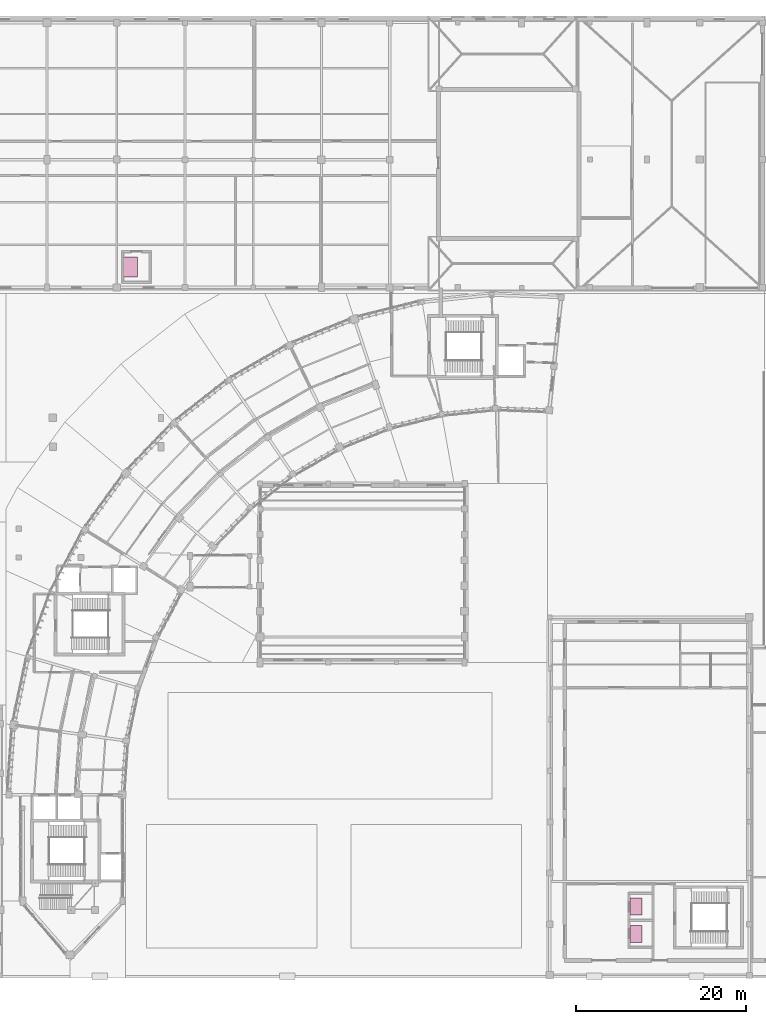
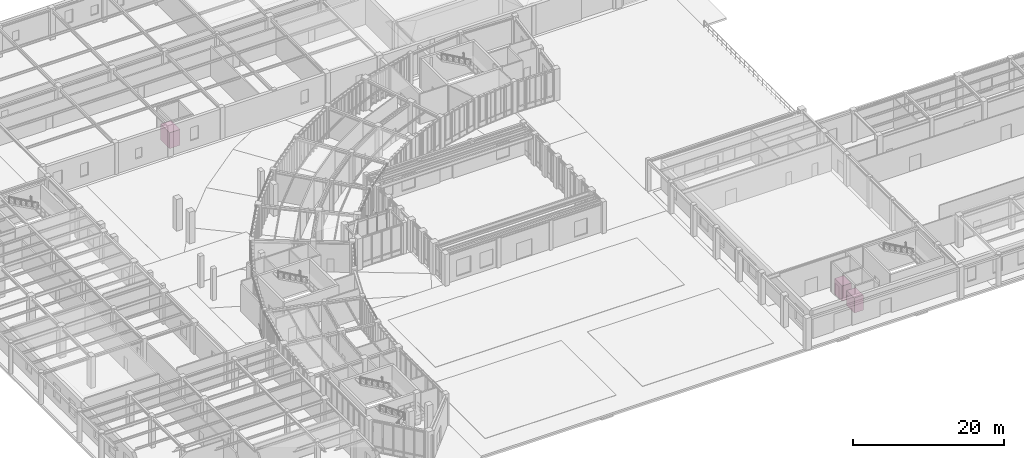
# One storey, part 68 of 68: 3 transport elements.
"""IFC4 building model written with IfcOpenShell, lengths in metres."""

from ifc_helpers import new_model, si_unit, direction, frame, origin, origin_2d, place, context, subcontext, project, spatial, rectangle, extrude, material, type_object, element, save


model = new_model("IFC4")

# Units and contexts
model_context = context("Model", 3, precision=1e-05, world=origin(), true_north=direction((0.0, 1.0)))
body_context = subcontext(model_context, "Body", "Model", "MODEL_VIEW")
ifc_project = project(units=[si_unit("LENGTHUNIT", "METRE"), si_unit("AREAUNIT", "SQUARE_METRE"), si_unit("VOLUMEUNIT", "CUBIC_METRE"), si_unit("PLANEANGLEUNIT", "RADIAN"), si_unit("MASSUNIT", "GRAM", prefix="KILO"), si_unit("THERMODYNAMICTEMPERATUREUNIT", "KELVIN"), si_unit("POWERUNIT", "WATT")], contexts=[model_context])

# Site, building, storey
site_placement = place(None, origin())
site = spatial("IfcSite", under=ifc_project, at=site_placement, CompositionType="ELEMENT")
building_placement = place(site_placement, origin())
building = spatial("IfcBuilding", under=site, at=building_placement, Name="Solvatero Civic Police Headquarters", CompositionType="ELEMENT")
storey_placement = place(building_placement, origin())
storey = spatial("IfcBuildingStorey", under=building, at=storey_placement, Name="L00", CompositionType="ELEMENT", Elevation=0.0)

# Transport elements
ifc_material = material(Name="Brushed Stainless Steel", Category="steel")
transport_element_type_1 = type_object("IfcTransportElementType", Name="LFT-GDS-2000", PredefinedType="ELEVATOR", material=ifc_material)
transport_element_placement = place(storey_placement, frame((49.60009765625, 87.89990234375, 0.0), z_axis=(0.0, 0.0, 1.0), x_axis=(1.0, 0.0, 0.0)))
element("IfcTransportElement", 1, at=transport_element_placement, inside=storey, type_object=transport_element_type_1, Name="Custody Escort Lift LC-01", PredefinedType="ELEVATOR", context=body_context, shape_type="SweptSolid", body=[
    extrude(rectangle(XDim=1.60009765625, YDim=2.39990234375, at=origin_2d()), origin(), (0.0, 0.0, 1.0), 2.550048828125),
])
transport_element_type_2 = type_object("IfcTransportElementType", Name="LFT-PAS-1275", PredefinedType="ELEVATOR", material=ifc_material)
for number, where, z_axis, x_axis, name in (
    (2, (108.89990234375, 9.64990234375, 0.0), (0.0, 0.0, 1.0), (1.0, 0.0, 0.0), "Public Reception Lift LP-04"),
    (3, (108.89990234375, 12.85009765625, 0.0), (0.0, 0.0, 1.0), (1.0, 0.0, 0.0), "Public Reception Lift LP-05"),
):
    element("IfcTransportElement", number, at=place(storey_placement, frame(where, z_axis=z_axis, x_axis=x_axis)), inside=storey, type_object=transport_element_type_2, Name=name, PredefinedType="ELEVATOR", context=body_context, shape_type="SweptSolid", body=[
        extrude(rectangle(XDim=1.39990234375, YDim=2.0, at=origin_2d()), origin(), (0.0, 0.0, 1.0), 2.449951171875),
    ])

save(model, "model.ifc")
